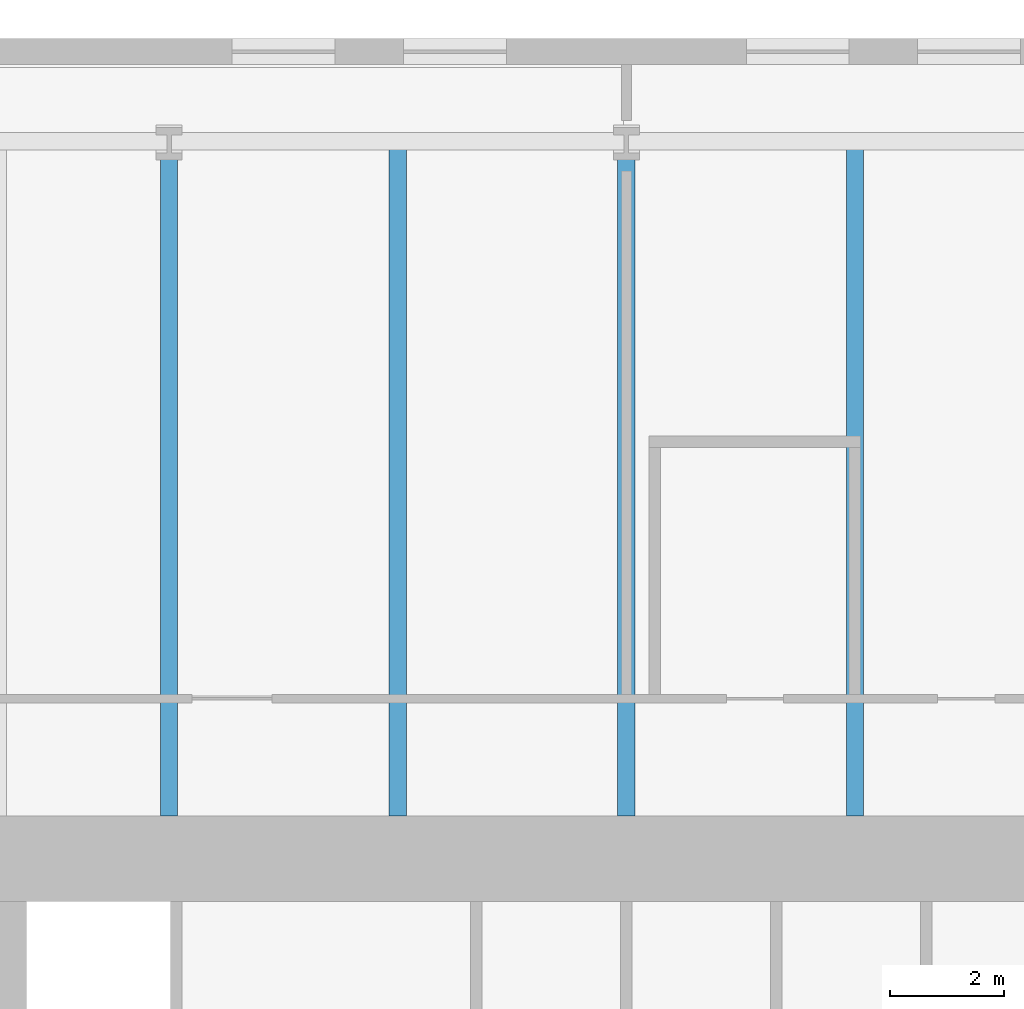
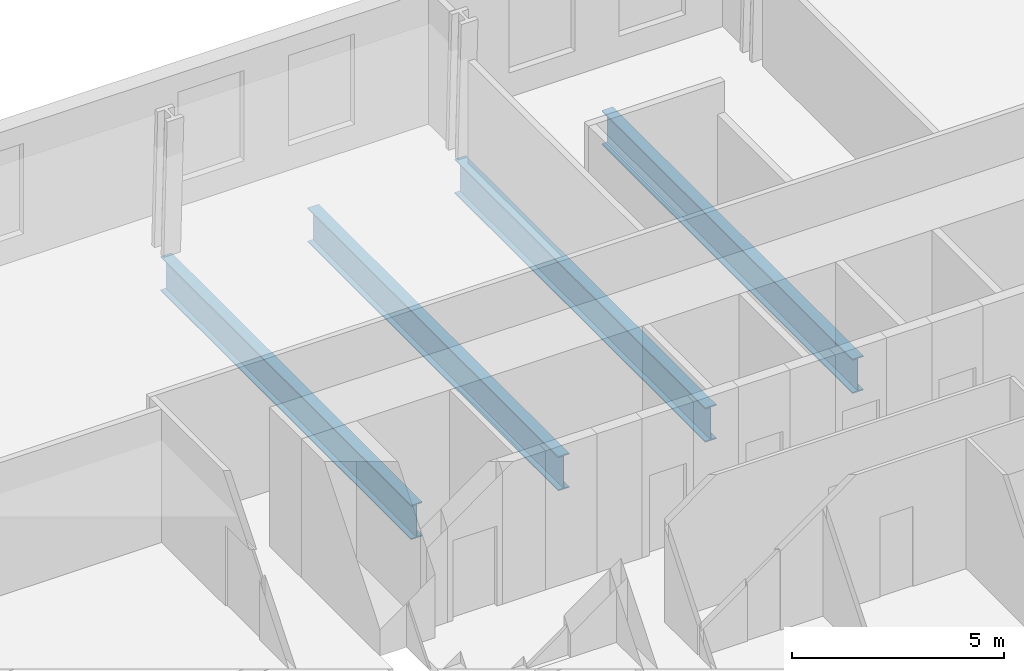
# One storey, part 7 of 18: 4 beams.
"""IFC4 building model written with IfcOpenShell, lengths in metres."""

from ifc_helpers import new_model, si_unit, direction, frame, origin, origin_2d, place, context, subcontext, project, spatial, i_section, extrude, material, material_profile, profile_set, type_object, element, save


model = new_model("IFC4")

# Units and contexts
model_context = context("Model", 3, precision=1e-05, world=origin(), true_north=direction((0.0, 1.0)))
body_context = subcontext(model_context, "Body", "Model", "MODEL_VIEW")
ifc_project = project(units=[si_unit("LENGTHUNIT", "METRE"), si_unit("AREAUNIT", "SQUARE_METRE"), si_unit("VOLUMEUNIT", "CUBIC_METRE"), si_unit("PLANEANGLEUNIT", "RADIAN"), si_unit("MASSUNIT", "GRAM", prefix="KILO")], contexts=[model_context])

# Site, building, storey
site_placement = place(None, origin())
site = spatial("IfcSite", under=ifc_project, at=site_placement, CompositionType="ELEMENT")
building_placement = place(site_placement, origin())
building = spatial("IfcBuilding", under=site, at=building_placement, Name="Peilmerk Tower", CompositionType="ELEMENT")
storey_placement = place(building_placement, frame((0.0, 0.0, 175.800048828125)))
storey = spatial("IfcBuildingStorey", under=building, at=storey_placement, Name="L37", CompositionType="ELEMENT", Elevation=175.800048828125)

# Beams
ifc_material = material(Name="Steel S355", Category="steel")
ifc_material_profile = material_profile(ifc_material, i_section(OverallWidth=0.300048828125, OverallDepth=0.989990234375, WebThickness=0.0166015625, FlangeThickness=0.031005859375, at=origin_2d()), Name="HEA 1000")
ifc_profile_set = profile_set([ifc_material_profile], Name="Steel S355")
beam_type = type_object("IfcBeamType", Name="B14 HEA 1000 floor girder", PredefinedType="BEAM", material=ifc_profile_set)
for number, where, z_axis, x_axis, name in (
    (1, (4.0, 12.0, -0.6650390625), (0.0, 1.0, 0.0), (-1.0, 0.0, 0.0), "Floor beam L37"),
    (2, (0.0, 12.0, -0.6650390625), (0.0, 1.0, 0.0), (-1.0, 0.0, 0.0), "Floor beam L37"),
    (3, (-4.0, 12.0, -0.6650390625), (0.0, 1.0, 0.0), (-1.0, 0.0, 0.0), "Floor beam L37"),
    (4, (-8.0, 12.0, -0.6650390625), (0.0, 1.0, 0.0), (-1.0, 0.0, 0.0), "Floor beam L37"),
):
    element("IfcBeam", number, at=place(storey_placement, frame(where, z_axis=z_axis, x_axis=x_axis)), inside=storey, type_object=beam_type, Name=name, PredefinedType="BEAM", context=body_context, shape_type="SweptSolid", body=[
        extrude(i_section(OverallWidth=0.300048828125, OverallDepth=0.989990234375, WebThickness=0.0166015625, FlangeThickness=0.031005859375, at=origin_2d()), origin(), (0.0, 0.0, 1.0), 11.80810546875),
    ])

save(model, "model.ifc")
